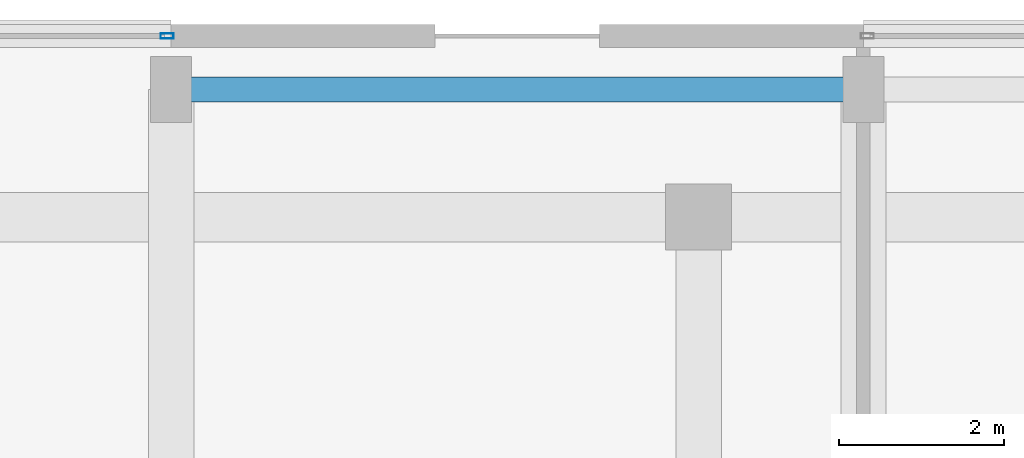
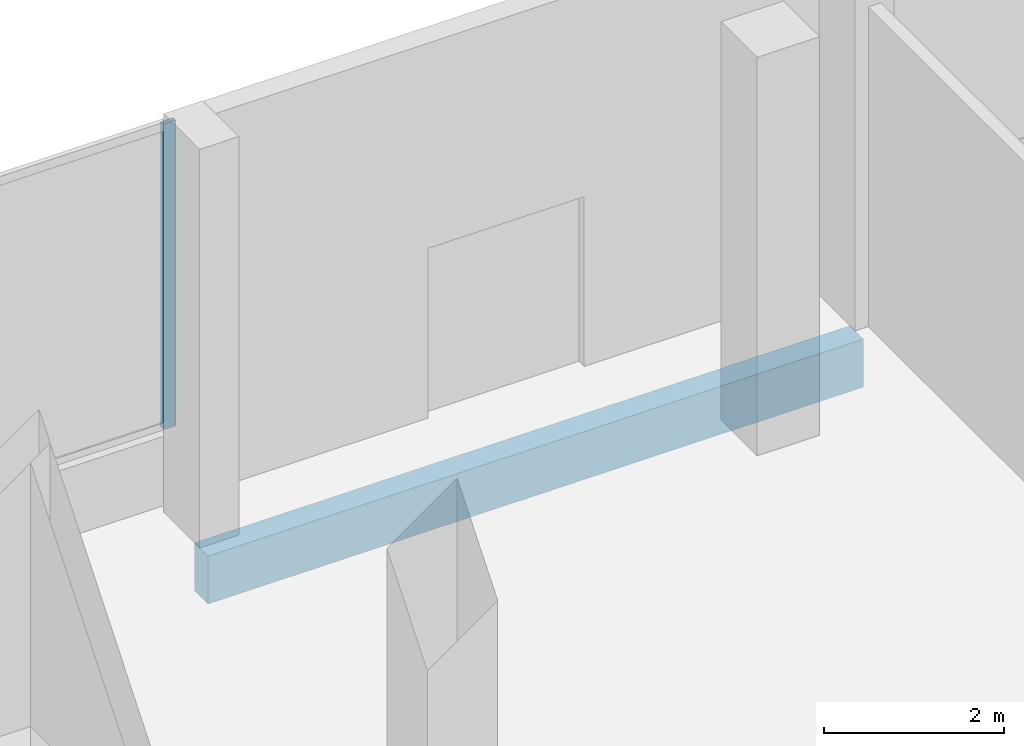
# One storey, part 81 of 158: 1 beam, 1 member, 1 element without a shape of its own.
"""IFC4 building model written with IfcOpenShell, lengths in metres."""

from ifc_helpers import new_model, si_unit, direction, frame, origin, origin_2d, place, context, subcontext, project, spatial, rectangle, hollow_rectangle, extrude, material, material_profile, profile_set, type_object, element, aggregate, save


model = new_model("IFC4")

# Units and contexts
model_context = context("Model", 3, precision=1e-05, world=origin(), true_north=direction((0.0, 1.0)))
body_context = subcontext(model_context, "Body", "Model", "MODEL_VIEW")
ifc_project = project(units=[si_unit("LENGTHUNIT", "METRE"), si_unit("AREAUNIT", "SQUARE_METRE"), si_unit("VOLUMEUNIT", "CUBIC_METRE"), si_unit("PLANEANGLEUNIT", "RADIAN"), si_unit("MASSUNIT", "GRAM", prefix="KILO")], contexts=[model_context])

# Site, building, storey
site_placement = place(None, origin())
site = spatial("IfcSite", under=ifc_project, at=site_placement, CompositionType="ELEMENT")
building_placement = place(site_placement, origin())
building = spatial("IfcBuilding", under=site, at=building_placement, Name="Selatvlak General Hospital", CompositionType="ELEMENT")
storey_placement = place(building_placement, origin())
storey = spatial("IfcBuildingStorey", under=building, at=storey_placement, Name="L00", CompositionType="ELEMENT", Elevation=0.0)

# Beam
ifc_material_1 = material(Name="Concrete C40/50", Category="concrete")
ifc_material_profile_1 = material_profile(ifc_material_1, rectangle(XDim=0.300048828125, YDim=0.64990234375, at=origin_2d()), Name="RC-SP 300x650")
ifc_profile_set_1 = profile_set([ifc_material_profile_1], Name="Concrete C40/50")
beam_type = type_object("IfcBeamType", Name="BM-SP1", PredefinedType="SPANDREL", material=ifc_profile_set_1)
beam_placement = place(storey_placement, frame((64.800048828125, 119.35009765625, -0.675048828125), z_axis=(1.0, 0.0, 0.0), x_axis=(0.0, 1.0, 0.0)))
element("IfcBeam", 1, at=beam_placement, inside=storey, type_object=beam_type, Name="Beam BMR-L00-0150", PredefinedType="SPANDREL", context=body_context, shape_type="SweptSolid", body=[
    extrude(rectangle(XDim=0.300048828125, YDim=0.64990234375, at=origin_2d()), origin(), (0.0, 0.0, 1.0), 8.39990234375),
])

# Curtain wall, member
ifc_material_2 = material(Name="Solar-control Low-E double glazing", Category="glass")
curtain_wall_type = type_object("IfcCurtainWallType", Name="CW-CW-01", PredefinedType="USERDEFINED", material=ifc_material_2)
curtain_wall_placement = place(storey_placement, origin())
curtain_wall = element("IfcCurtainWall", 2, at=curtain_wall_placement, inside=storey, type_object=curtain_wall_type, Name="Glazed facade curtain wall CW-L00-0005", ObjectType="UNITISED CURTAIN WALL", PredefinedType="USERDEFINED")
ifc_material_3 = material(Name="Dark anodised aluminium mullion", Category="aluminium")
ifc_material_profile_2 = material_profile(ifc_material_3, hollow_rectangle(XDim=0.06494140625, YDim=0.159912109375, WallThickness=0.00390625, at=origin_2d()), Name="AL-MUL 65x160x4")
ifc_profile_set_2 = profile_set([ifc_material_profile_2], Name="Dark anodised aluminium mullion")
member_type = type_object("IfcMemberType", Name="CWM-01", PredefinedType="MULLION", material=ifc_profile_set_2)
member_placement = place(storey_placement, frame((64.75244140625, 119.9990234375, 0.93994140625), z_axis=(0.0, 0.0, 1.0), x_axis=(0.0, 1.0, 0.0)))
member = element("IfcMember", 3, at=member_placement, type_object=member_type, Name="CW-01 mullion 4", PredefinedType="MULLION", context=body_context, shape_type="SweptSolid", body=[
    extrude(hollow_rectangle(XDim=0.06494140625, YDim=0.159912109375, WallThickness=0.00390625, at=origin_2d()), origin(), (0.0, 0.0, 1.0), 4.14013671875),
])
aggregate(curtain_wall, [member])

save(model, "model.ifc")
